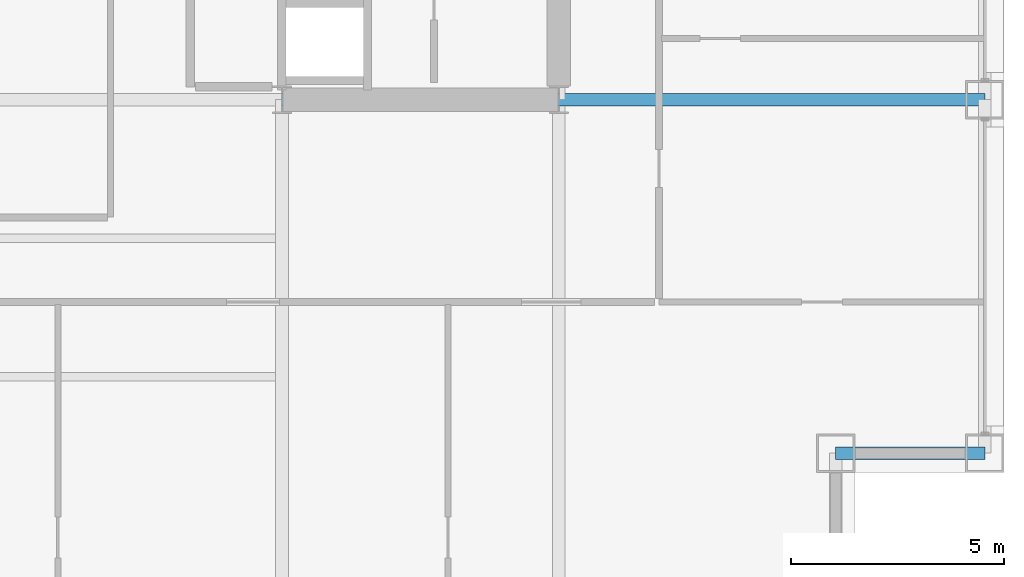
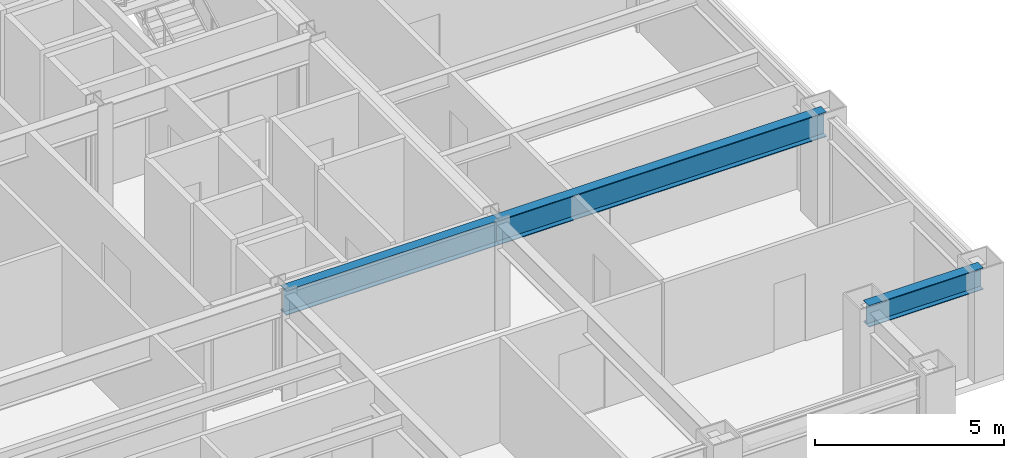
# One storey, part 11 of 29: 3 beams.
"""IFC4 building model written with IfcOpenShell, lengths in metres."""

from ifc_helpers import new_model, si_unit, direction, frame, origin, origin_2d, place, context, subcontext, project, spatial, i_section, extrude, material, material_profile, profile_set, type_object, element, save


model = new_model("IFC4")

# Units and contexts
model_context = context("Model", 3, precision=1e-05, world=origin(), true_north=direction((0.0, 1.0)))
body_context = subcontext(model_context, "Body", "Model", "MODEL_VIEW")
ifc_project = project(units=[si_unit("LENGTHUNIT", "METRE"), si_unit("AREAUNIT", "SQUARE_METRE"), si_unit("VOLUMEUNIT", "CUBIC_METRE"), si_unit("PLANEANGLEUNIT", "RADIAN"), si_unit("MASSUNIT", "GRAM", prefix="KILO")], contexts=[model_context])

# Site, building, storey
site_placement = place(None, origin())
site = spatial("IfcSite", under=ifc_project, at=site_placement, CompositionType="ELEMENT")
building_placement = place(site_placement, origin())
building = spatial("IfcBuilding", under=site, at=building_placement, Name="Brelmoor Portico Tower", CompositionType="ELEMENT")
storey_placement = place(building_placement, frame((0.0, 0.0, 60.0)))
storey = spatial("IfcBuildingStorey", under=building, at=storey_placement, Name="L15", CompositionType="ELEMENT", Elevation=60.0)

# Beams
ifc_material = material(Name="Steel Q355B", Category="steel")
ifc_material_profile_1 = material_profile(ifc_material, i_section(OverallWidth=0.300048828125, OverallDepth=0.800048828125, WebThickness=0.013916015625, FlangeThickness=0.02587890625, at=origin_2d()), Name="HN 800x300x14x26")
ifc_profile_set_1 = profile_set([ifc_material_profile_1], Name="Steel Q355B")
beam_type_1 = type_object("IfcBeamType", Name="BM-PG-800", PredefinedType="BEAM", material=ifc_profile_set_1)
beam_1_placement = place(storey_placement, frame((8.050048828125, -9.75, 3.0), z_axis=(1.0, 0.0, 0.0), x_axis=(0.0, 1.0, 0.0)))
element("IfcBeam", 1, at=beam_1_placement, inside=storey, type_object=beam_type_1, Name="L15 Primary Floor Girder PG-22", PredefinedType="BEAM", context=body_context, shape_type="SweptSolid", body=[
    extrude(i_section(OverallWidth=0.300048828125, OverallDepth=0.800048828125, WebThickness=0.013916015625, FlangeThickness=0.02587890625, at=origin_2d()), origin(), (0.0, 0.0, 1.0), 6.5),
])
beam_2_placement = place(storey_placement, frame((14.550048828125, -9.75, 3.0), z_axis=(1.0, 0.0, 0.0), x_axis=(0.0, 1.0, 0.0)))
element("IfcBeam", 2, at=beam_2_placement, inside=storey, type_object=beam_type_1, Name="L15 Primary Floor Girder PG-23", PredefinedType="BEAM", context=body_context, shape_type="SweptSolid", body=[
    extrude(i_section(OverallWidth=0.300048828125, OverallDepth=0.800048828125, WebThickness=0.013916015625, FlangeThickness=0.02587890625, at=origin_2d()), origin(), (0.0, 0.0, 1.0), 10.0),
])
ifc_material_profile_2 = material_profile(ifc_material, i_section(OverallWidth=0.300048828125, OverallDepth=0.699951171875, WebThickness=0.012939453125, FlangeThickness=0.02392578125, at=origin_2d()), Name="HN 700x300x13x24")
ifc_profile_set_2 = profile_set([ifc_material_profile_2], Name="Steel Q355B")
beam_type_2 = type_object("IfcBeamType", Name="BM-SP-700", PredefinedType="SPANDREL", material=ifc_profile_set_2)
beam_3_placement = place(storey_placement, frame((21.050048828125, -18.050048828125, 3.050048828125), z_axis=(1.0, 0.0, 0.0), x_axis=(0.0, 1.0, 0.0)))
element("IfcBeam", 3, at=beam_3_placement, inside=storey, type_object=beam_type_2, Name="L15 Perimeter Spandrel Beam SP-07", PredefinedType="SPANDREL", context=body_context, shape_type="SweptSolid", body=[
    extrude(i_section(OverallWidth=0.300048828125, OverallDepth=0.699951171875, WebThickness=0.012939453125, FlangeThickness=0.02392578125, at=origin_2d()), origin(), (0.0, 0.0, 1.0), 3.5),
])

save(model, "model.ifc")
